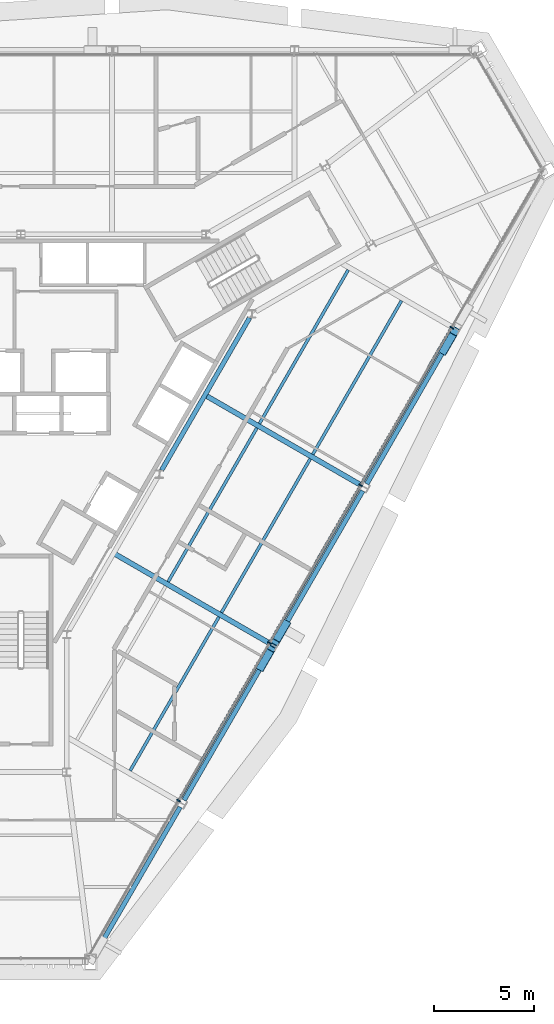
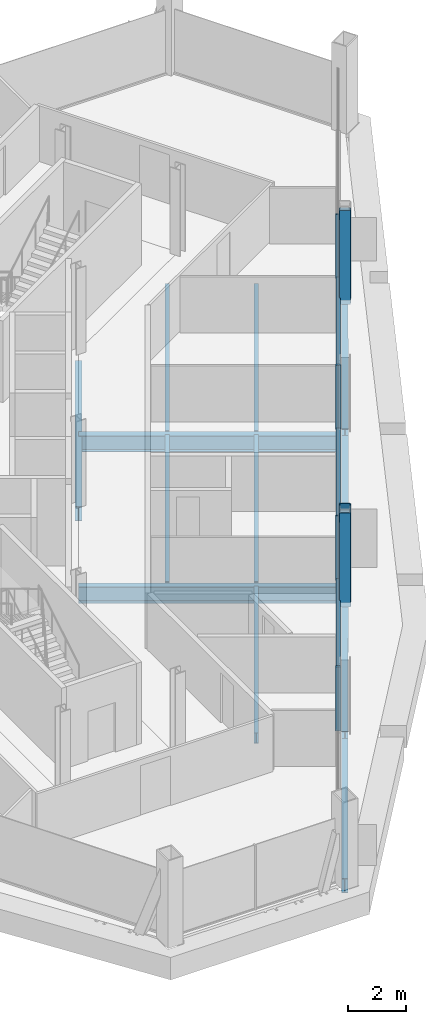
# One storey, part 5 of 15: 12 beams, 10 members, 1 element without a shape of its own.
"""IFC4 building model written with IfcOpenShell, lengths in metres."""

from ifc_helpers import new_model, si_unit, direction, frame, origin, origin_2d, place, context, subcontext, project, spatial, rectangle, hollow_rectangle, i_section, extrude, material, material_profile, profile_set, type_object, element, aggregate, save


model = new_model("IFC4")

# Units and contexts
model_context = context("Model", 3, precision=1e-05, world=origin(), true_north=direction((0.0, 1.0)))
body_context = subcontext(model_context, "Body", "Model", "MODEL_VIEW")
ifc_project = project(units=[si_unit("LENGTHUNIT", "METRE"), si_unit("AREAUNIT", "SQUARE_METRE"), si_unit("VOLUMEUNIT", "CUBIC_METRE"), si_unit("PLANEANGLEUNIT", "RADIAN"), si_unit("MASSUNIT", "GRAM", prefix="KILO")], contexts=[model_context])

# Site, building, storey
site_placement = place(None, origin())
site = spatial("IfcSite", under=ifc_project, at=site_placement, CompositionType="ELEMENT")
building_placement = place(site_placement, origin())
building = spatial("IfcBuilding", under=site, at=building_placement, Name="Verrane Prism Tower", CompositionType="ELEMENT")
storey_placement = place(building_placement, frame((0.0, 0.0, 254.5)))
storey = spatial("IfcBuildingStorey", under=building, at=storey_placement, Name="L64", CompositionType="ELEMENT", Elevation=254.5)

# Beam
ifc_material_1 = material(Name="Steel A992", Category="steel")
ifc_material_profile_1 = material_profile(ifc_material_1, i_section(OverallWidth=0.23046875, OverallDepth=0.6171875, WebThickness=0.01318359375, FlangeThickness=0.022216796875, FilletRadius=0.012939453125, at=origin_2d()), Name="W24x94")
ifc_profile_set_1 = profile_set([ifc_material_profile_1], Name="Steel A992")
beam_type_1 = type_object("IfcBeamType", Name="Core ring girder W24x94", PredefinedType="BEAM", material=ifc_profile_set_1)
beam_1_placement = place(storey_placement, frame((7.04150390625, -3.806884765625, -0.55859375), z_axis=(0.499967007444, 0.866044451208, 0.0), x_axis=(-0.866044451208, 0.499967007444, 0.0)))
element("IfcBeam", 1, at=beam_1_placement, inside=storey, type_object=beam_type_1, Name="Core ring girder L64", PredefinedType="BEAM", context=body_context, shape_type="SweptSolid", body=[
    extrude(i_section(OverallWidth=0.23046875, OverallDepth=0.6171875, WebThickness=0.01318359375, FlangeThickness=0.022216796875, FilletRadius=0.012939453125, at=origin_2d()), origin(), (0.0, 0.0, 1.0), 8.814453125),
])

# Members
ifc_material_2 = material(Name="Steel A500 Grade C", Category="steel")
ifc_material_profile_2 = material_profile(ifc_material_2, hollow_rectangle(XDim=0.406494140625, YDim=0.406494140625, WallThickness=0.01904296875, InnerFilletRadius=0.009521484375, OuterFilletRadius=0.028564453125, at=origin_2d()), Name="HSS16x16x3/4")
ifc_profile_set_2 = profile_set([ifc_material_profile_2], Name="Steel A500 Grade C")
member_type_1 = type_object("IfcMemberType", Name="Facade brace HSS16x16x3/4", PredefinedType="BRACE", material=ifc_profile_set_2)
member_1_placement = place(storey_placement, frame((12.031005859375, -13.6240234375, -0.216796875), z_axis=(0.164129540622, 0.284853520612, 0.94441514478), x_axis=(-0.8664606706, 0.499245336787, 0.0)))
element("IfcMember", 2, at=member_1_placement, inside=storey, type_object=member_type_1, Name="Facade brace SE1 L64", PredefinedType="BRACE", context=body_context, shape_type="SweptSolid", body=[
    extrude(hollow_rectangle(XDim=0.406494140625, YDim=0.406494140625, WallThickness=0.01904296875, InnerFilletRadius=0.009521484375, OuterFilletRadius=0.028564453125, at=origin_2d()), origin(), (0.0, 0.0, 1.0), 3.369140625),
])
for number, where, z_axis, x_axis, name in (
    (3, (13.248779296875, -11.51611328125, -0.216796875), (-0.165173287668, -0.285068810076, 0.94416818341), (0.865250597391, -0.501339609162, 0.0), "Facade brace SE2 L64"),
    (4, (21.16259765625, 2.1962890625, -0.216796875), (0.164951648467, 0.285278696383, 0.944143537317), (-0.865702085619, 0.500559585819, 0.0), "Facade brace SE3 L64"),
):
    element("IfcMember", number, at=place(storey_placement, frame(where, z_axis=z_axis, x_axis=x_axis)), inside=storey, type_object=member_type_1, Name=name, PredefinedType="BRACE", context=body_context, shape_type="SweptSolid", body=[
        extrude(hollow_rectangle(XDim=0.406494140625, YDim=0.406494140625, WallThickness=0.01904296875, InnerFilletRadius=0.009521484375, OuterFilletRadius=0.028564453125, at=origin_2d()), origin(), (0.0, 0.0, 1.0), 3.3701171875),
    ])

# Beams
ifc_material_3 = material(Name="Steel A992", Category="steel")
ifc_material_profile_3 = material_profile(ifc_material_3, i_section(OverallWidth=0.15234375, OverallDepth=0.449462890625, WebThickness=0.007568359375, FlangeThickness=0.0107421875, FilletRadius=0.01025390625, at=origin_2d()), Name="W18x35")
ifc_profile_set_3 = profile_set([ifc_material_profile_3], Name="Steel A992")
beam_type_2 = type_object("IfcBeamType", Name="Floor beam W18x35", PredefinedType="BEAM", material=ifc_profile_set_3)
beam_2_placement = place(storey_placement, frame((5.47119140625, -18.83349609375, -0.384765625), z_axis=(0.50000642917, 0.866021691869, 0.0), x_axis=(-0.866021691869, 0.50000642917, 0.0)))
element("IfcBeam", 5, at=beam_2_placement, inside=storey, type_object=beam_type_2, Name="Floor beam L64", PredefinedType="BEAM", context=body_context, shape_type="SweptSolid", body=[
    extrude(i_section(OverallWidth=0.15234375, OverallDepth=0.449462890625, WebThickness=0.007568359375, FlangeThickness=0.0107421875, FilletRadius=0.01025390625, at=origin_2d()), origin(), (0.0, 0.0, 1.0), 8.880859375),
])
beam_3_placement = place(storey_placement, frame((10.03857421875, -10.92236328125, -0.384765625), z_axis=(0.499996860793, 0.866027216199, 0.0), x_axis=(-0.866027216199, 0.499996860793, 0.0)))
element("IfcBeam", 6, at=beam_3_placement, inside=storey, type_object=beam_type_2, Name="Floor beam L64", PredefinedType="BEAM", context=body_context, shape_type="SweptSolid", body=[
    extrude(i_section(OverallWidth=0.15234375, OverallDepth=0.449462890625, WebThickness=0.007568359375, FlangeThickness=0.0107421875, FilletRadius=0.01025390625, at=origin_2d()), origin(), (0.0, 0.0, 1.0), 8.88232421875),
])
beam_4_placement = place(storey_placement, frame((7.371337890625, -9.383544921875, -0.384765625), z_axis=(0.499999195485, 0.866025868271, 0.0), x_axis=(-0.866025868271, 0.499999195485, 0.0)))
element("IfcBeam", 7, at=beam_4_placement, inside=storey, type_object=beam_type_2, Name="Floor beam L64", PredefinedType="BEAM", context=body_context, shape_type="SweptSolid", body=[
    extrude(i_section(OverallWidth=0.15234375, OverallDepth=0.449462890625, WebThickness=0.007568359375, FlangeThickness=0.0107421875, FilletRadius=0.01025390625, at=origin_2d()), origin(), (0.0, 0.0, 1.0), 8.8837890625),
])
beam_5_placement = place(storey_placement, frame((14.606689453125, -3.010009765625, -0.384765625), z_axis=(0.500005807019, 0.866022051074, 0.0), x_axis=(-0.866022051074, 0.500005807019, 0.0)))
element("IfcBeam", 8, at=beam_5_placement, inside=storey, type_object=beam_type_2, Name="Floor beam L64", PredefinedType="BEAM", context=body_context, shape_type="SweptSolid", body=[
    extrude(i_section(OverallWidth=0.15234375, OverallDepth=0.449462890625, WebThickness=0.007568359375, FlangeThickness=0.0107421875, FilletRadius=0.01025390625, at=origin_2d()), origin(), (0.0, 0.0, 1.0), 8.87548828125),
])
beam_6_placement = place(storey_placement, frame((11.940185546875, -1.469970703125, -0.384765625), z_axis=(0.500000279077, 0.866025242659, 0.0), x_axis=(-0.866025242659, 0.500000279077, 0.0)))
element("IfcBeam", 9, at=beam_6_placement, inside=storey, type_object=beam_type_2, Name="Floor beam L64", PredefinedType="BEAM", context=body_context, shape_type="SweptSolid", body=[
    extrude(i_section(OverallWidth=0.15234375, OverallDepth=0.449462890625, WebThickness=0.007568359375, FlangeThickness=0.0107421875, FilletRadius=0.01025390625, at=origin_2d()), origin(), (0.0, 0.0, 1.0), 8.87451171875),
])

# Curtain wall, members
ifc_material_4 = material(Name="Aluminium framed insulated glazing", Category="aluminium")
curtain_wall_type = type_object("IfcCurtainWallType", Name="Curtain wall CW-A 8400 module", PredefinedType="NOTDEFINED", material=ifc_material_4)
curtain_wall_placement = place(storey_placement, origin())
curtain_wall = element("IfcCurtainWall", 10, at=curtain_wall_placement, inside=storey, type_object=curtain_wall_type, Name="Glazed curtain wall south-east face L64", PredefinedType="NOTDEFINED")
ifc_material_5 = material(Name="Aluminium alloy 6063-T6", Category="aluminium")
ifc_material_profile_4 = material_profile(ifc_material_5, rectangle(XDim=0.199951171875, YDim=0.070068359375, at=origin_2d()), Name="Mullion 70x200 aluminium")
ifc_profile_set_4 = profile_set([ifc_material_profile_4], Name="Aluminium alloy 6063-T6")
member_type_2 = type_object("IfcMemberType", Name="Mullion 70x200 aluminium", PredefinedType="MULLION", material=ifc_profile_set_4)
member_2_placement = place(storey_placement, frame((7.894775390625, -20.32958984375, 0.0), z_axis=(0.0, 0.0, 1.0), x_axis=(-0.866025525748, 0.499999788753, 0.0)))
member_2 = element("IfcMember", 11, at=member_2_placement, type_object=member_type_2, Name="CW62.6 mullion 2", PredefinedType="MULLION", context=body_context, shape_type="SweptSolid", body=[
    extrude(rectangle(XDim=0.199951171875, YDim=0.070068359375, at=origin_2d()), origin(), (0.0, 0.0, 1.0), 2.712890625),
])
member_3_placement = place(storey_placement, frame((12.447509765625, -12.44384765625, 0.0), z_axis=(0.0, 0.0, 1.0), x_axis=(-0.866025525748, 0.499999788753, 0.0)))
member_3 = element("IfcMember", 12, at=member_3_placement, type_object=member_type_2, Name="CW62.6 mullion 3", PredefinedType="MULLION", context=body_context, shape_type="SweptSolid", body=[
    extrude(rectangle(XDim=0.199951171875, YDim=0.070068359375, at=origin_2d()), origin(), (0.0, 0.0, 1.0), 2.712890625),
])
member_4_placement = place(storey_placement, frame((17.000244140625, -4.55810546875, 0.0), z_axis=(0.0, 0.0, 1.0), x_axis=(-0.866025525748, 0.499999788753, 0.0)))
member_4 = element("IfcMember", 13, at=member_4_placement, type_object=member_type_2, Name="CW62.6 mullion 4", PredefinedType="MULLION", context=body_context, shape_type="SweptSolid", body=[
    extrude(rectangle(XDim=0.199951171875, YDim=0.070068359375, at=origin_2d()), origin(), (0.0, 0.0, 1.0), 2.712890625),
])
member_5_placement = place(storey_placement, frame((21.55322265625, 3.32763671875, 0.0), z_axis=(0.0, 0.0, 1.0), x_axis=(-0.866025525748, 0.499999788753, 0.0)))
member_5 = element("IfcMember", 14, at=member_5_placement, type_object=member_type_2, Name="CW62.6 mullion 5", PredefinedType="MULLION", context=body_context, shape_type="SweptSolid", body=[
    extrude(rectangle(XDim=0.199951171875, YDim=0.070068359375, at=origin_2d()), origin(), (0.0, 0.0, 1.0), 2.712890625),
])

# Beams
ifc_material_6 = material(Name="Steel A992", Category="steel")
ifc_material_profile_5 = material_profile(ifc_material_6, i_section(OverallWidth=0.25390625, OverallDepth=0.683349609375, WebThickness=0.012451171875, FlangeThickness=0.01904296875, FilletRadius=0.01513671875, at=origin_2d()), Name="W27x94")
ifc_profile_set_5 = profile_set([ifc_material_profile_5], Name="Steel A992")
beam_type_3 = type_object("IfcBeamType", Name="Radial girder W27x94", PredefinedType="BEAM", material=ifc_profile_set_5)
beam_7_placement = place(storey_placement, frame((12.472900390625, -12.473388671875, -0.5615234375), z_axis=(-0.866031723512, 0.499989053751, 0.0), x_axis=(-0.499989053751, -0.866031723512, 0.0)))
element("IfcBeam", 15, at=beam_7_placement, inside=storey, type_object=beam_type_3, Name="Radial girder L64", PredefinedType="BEAM", context=body_context, shape_type="SweptSolid", body=[
    extrude(i_section(OverallWidth=0.25390625, OverallDepth=0.683349609375, WebThickness=0.012451171875, FlangeThickness=0.01904296875, FilletRadius=0.01513671875, at=origin_2d()), origin(), (0.0, 0.0, 1.0), 9.036865234375),
])
beam_8_placement = place(storey_placement, frame((17.042724609375, -4.5634765625, -0.5615234375), z_axis=(-0.866029072754, 0.499993645104, 0.0), x_axis=(-0.499993645104, -0.866029072754, 0.0)))
element("IfcBeam", 16, at=beam_8_placement, inside=storey, type_object=beam_type_3, Name="Radial girder L64", PredefinedType="BEAM", context=body_context, shape_type="SweptSolid", body=[
    extrude(i_section(OverallWidth=0.25390625, OverallDepth=0.683349609375, WebThickness=0.012451171875, FlangeThickness=0.01904296875, FilletRadius=0.01513671875, at=origin_2d()), origin(), (0.0, 0.0, 1.0), 9.03955078125),
])
ifc_material_7 = material(Name="Steel A992", Category="steel")
ifc_material_profile_6 = material_profile(ifc_material_7, i_section(OverallWidth=0.23046875, OverallDepth=0.6171875, WebThickness=0.01318359375, FlangeThickness=0.022216796875, FilletRadius=0.012939453125, at=origin_2d()), Name="W24x94")
ifc_profile_set_6 = profile_set([ifc_material_profile_6], Name="Steel A992")
beam_type_4 = type_object("IfcBeamType", Name="Spandrel beam W24x94", PredefinedType="SPANDREL", material=ifc_profile_set_6)
beam_9_placement = place(storey_placement, frame((3.731201171875, -27.989990234375, -0.468505859375), z_axis=(0.500244477186, 0.865884208797, 0.0), x_axis=(-0.865884208797, 0.500244477186, 0.0)))
element("IfcBeam", 17, at=beam_9_placement, inside=storey, type_object=beam_type_4, Name="Spandrel beam L64", PredefinedType="SPANDREL", context=body_context, shape_type="SweptSolid", body=[
    extrude(i_section(OverallWidth=0.23046875, OverallDepth=0.6171875, WebThickness=0.01318359375, FlangeThickness=0.022216796875, FilletRadius=0.012939453125, at=origin_2d()), origin(), (0.0, 0.0, 1.0), 8.473876953125),
])
beam_10_placement = place(storey_placement, frame((8.169677734375, -20.307373046875, -0.468505859375), z_axis=(0.500268286352, 0.865870453169, 0.0), x_axis=(-0.865870453169, 0.500268286352, 0.0)))
element("IfcBeam", 18, at=beam_10_placement, inside=storey, type_object=beam_type_4, Name="Spandrel beam L64", PredefinedType="SPANDREL", context=body_context, shape_type="SweptSolid", body=[
    extrude(i_section(OverallWidth=0.23046875, OverallDepth=0.6171875, WebThickness=0.01318359375, FlangeThickness=0.022216796875, FilletRadius=0.012939453125, at=origin_2d()), origin(), (0.0, 0.0, 1.0), 8.736572265625),
])
beam_11_placement = place(storey_placement, frame((12.73974609375, -12.3974609375, -0.468505859375), z_axis=(0.500256181805, 0.865877446621, 0.0), x_axis=(-0.865877446621, 0.500256181805, 0.0)))
element("IfcBeam", 19, at=beam_11_placement, inside=storey, type_object=beam_type_4, Name="Spandrel beam L64", PredefinedType="SPANDREL", context=body_context, shape_type="SweptSolid", body=[
    extrude(i_section(OverallWidth=0.23046875, OverallDepth=0.6171875, WebThickness=0.01318359375, FlangeThickness=0.022216796875, FilletRadius=0.012939453125, at=origin_2d()), origin(), (0.0, 0.0, 1.0), 8.73681640625),
])
beam_12_placement = place(storey_placement, frame((17.3095703125, -4.4873046875, -0.468505859375), z_axis=(0.499429538444, 0.866354509499, 0.0), x_axis=(-0.866354509499, 0.499429538444, 0.0)))
element("IfcBeam", 20, at=beam_12_placement, inside=storey, type_object=beam_type_4, Name="Spandrel beam L64", PredefinedType="SPANDREL", context=body_context, shape_type="SweptSolid", body=[
    extrude(i_section(OverallWidth=0.23046875, OverallDepth=0.6171875, WebThickness=0.01318359375, FlangeThickness=0.022216796875, FilletRadius=0.012939453125, at=origin_2d()), origin(), (0.0, 0.0, 1.0), 8.731689453125),
])

# Member
ifc_material_8 = material(Name="Aluminium alloy 6063-T6", Category="aluminium")
ifc_material_profile_7 = material_profile(ifc_material_8, rectangle(XDim=0.14990234375, YDim=0.070068359375, at=origin_2d()), Name="Transom 70x150 aluminium")
ifc_profile_set_7 = profile_set([ifc_material_profile_7], Name="Aluminium alloy 6063-T6")
member_type_3 = type_object("IfcMemberType", Name="Transom 70x150 aluminium", PredefinedType="USERDEFINED", material=ifc_profile_set_7)
member_6_placement = place(storey_placement, frame((7.912109375, -20.299072265625, 0.034912109375), z_axis=(0.500007022283, 0.866021349429, 0.0), x_axis=(-0.866021349429, 0.500007022283, 0.0)))
member_6 = element("IfcMember", 21, at=member_6_placement, type_object=member_type_3, Name="CW62.6 transom 2", ObjectType="TRANSOM", PredefinedType="USERDEFINED", context=body_context, shape_type="SweptSolid", body=[
    extrude(rectangle(XDim=0.14990234375, YDim=0.070068359375, at=origin_2d()), origin(), (0.0, 0.0, 1.0), 9.035400390625),
])

member_7_placement = place(storey_placement, frame((12.465087890625, -12.413330078125, 0.034912109375), z_axis=(0.500007022283, 0.866021349429, 0.0), x_axis=(-0.866021349429, 0.500007022283, 0.0)))
member_7 = element("IfcMember", 22, at=member_7_placement, type_object=member_type_3, Name="CW62.6 transom 3", ObjectType="TRANSOM", PredefinedType="USERDEFINED", context=body_context, shape_type="SweptSolid", body=[
    extrude(rectangle(XDim=0.14990234375, YDim=0.070068359375, at=origin_2d()), origin(), (0.0, 0.0, 1.0), 9.035400390625),
])

member_8_placement = place(storey_placement, frame((17.017822265625, -4.52783203125, 0.034912109375), z_axis=(0.499995322353, 0.866028104408, 0.0), x_axis=(-0.866028104408, 0.499995322353, 0.0)))
member_8 = element("IfcMember", 23, at=member_8_placement, type_object=member_type_3, Name="CW62.6 transom 4", ObjectType="TRANSOM", PredefinedType="USERDEFINED", context=body_context, shape_type="SweptSolid", body=[
    extrude(rectangle(XDim=0.14990234375, YDim=0.070068359375, at=origin_2d()), origin(), (0.0, 0.0, 1.0), 9.03564453125),
])

aggregate(curtain_wall, [member_2, member_3, member_4, member_5, member_6, member_7, member_8])

save(model, "model.ifc")
